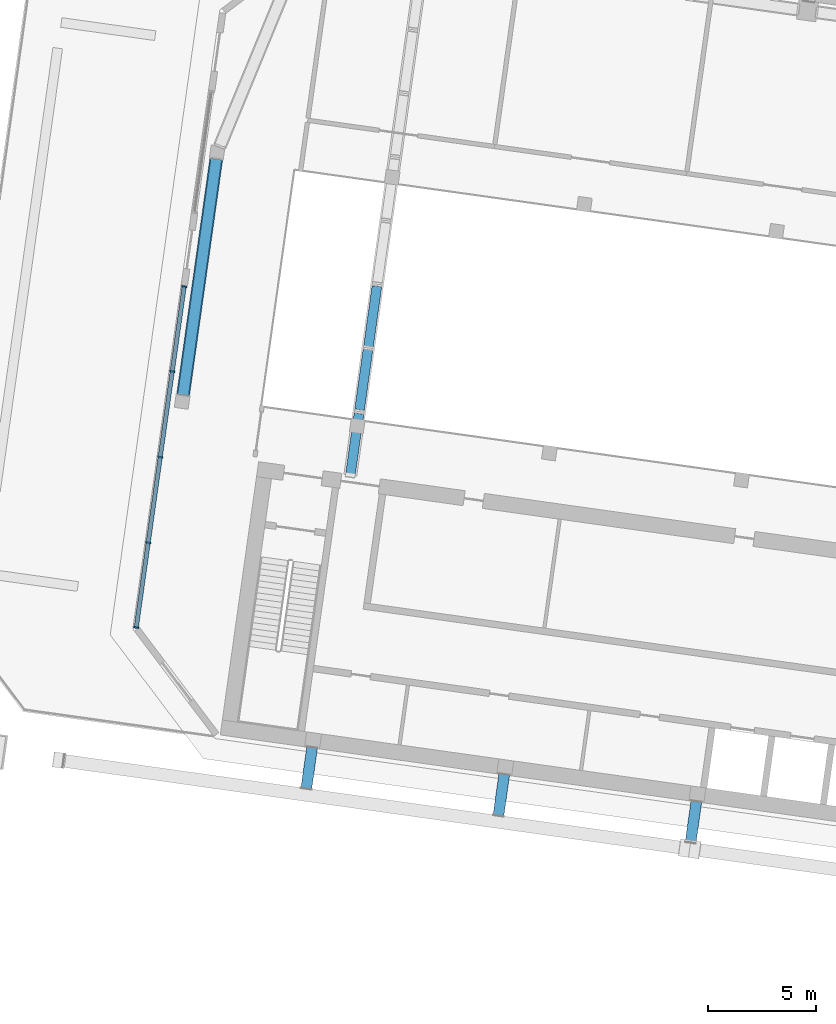
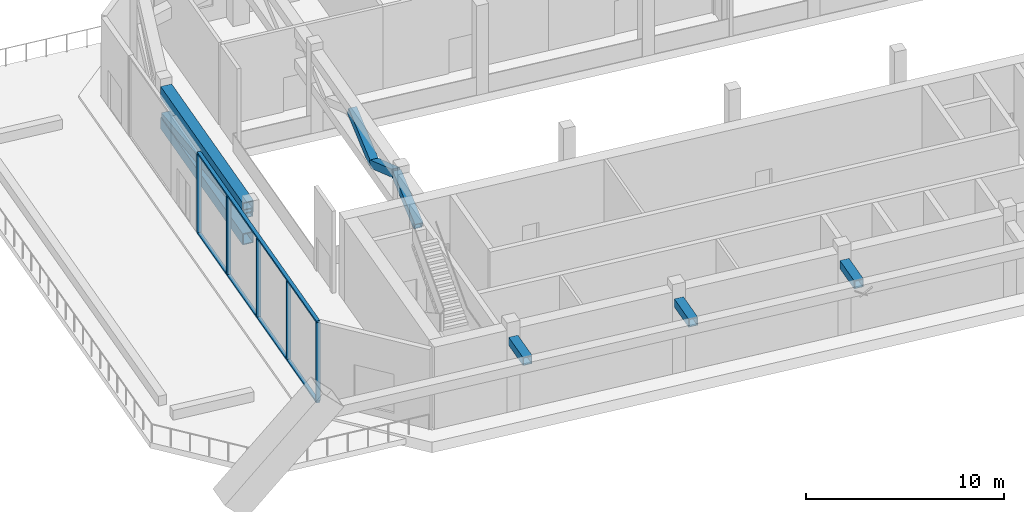
# One storey, part 3 of 41: 16 members, 1 element without a shape of its own.
"""IFC4 building model written with IfcOpenShell, lengths in metres."""

import ifcopenshell
import ifcopenshell.guid

model = None  # the IFC model being written
_history = None  # IfcOwnerHistory: only IFC2X3 demands one
_inside = {}  # id of a spatial element -> (the spatial element, [elements in it])
_under = {}  # id of a project, library or spatial element -> (it, [spatial elements below it])
_declared = {}  # id of a project -> (the project, [libraries it declares])
_typed = {}  # id of a type object -> (the type object, [elements of that type])
_made_of = {}  # id of a material, layer set ... -> (it, [elements and type objects made of it])


def new_model(schema):
    """Start an empty IFC model of exactly this schema.

    Asked for "IFC4X3", IfcOpenShell would pick the latest addendum, in which some entities
    have other attributes; the version numbers below select the first issue.
    IFC2X3 requires an IfcOwnerHistory on every rooted entity: one is made here for all.
    """
    global model, _history
    if schema == "IFC4X3":
        model = ifcopenshell.file(schema_version=(4, 3, 0, 0))
    else:
        model = ifcopenshell.file(schema=schema)
    _inside.clear()
    _under.clear()
    _declared.clear()
    _typed.clear()
    _made_of.clear()
    _history = None
    if model.schema == "IFC2X3":
        org = make("IfcOrganization", Name="unknown")
        user = make(
            "IfcPersonAndOrganization",
            ThePerson=make("IfcPerson", FamilyName="unknown"),
            TheOrganization=org,
        )
        app = make(
            "IfcApplication",
            ApplicationDeveloper=org,
            Version="unknown",
            ApplicationFullName="unknown",
            ApplicationIdentifier="unknown",
        )
        _history = make(
            "IfcOwnerHistory",
            OwningUser=user,
            OwningApplication=app,
            ChangeAction="ADDED",
            CreationDate=0,
        )
    return model


def make(cls, **values):
    """One entity of the class cls with the attributes given. An attribute that is None is left unset."""
    return model.create_entity(
        cls, **{name: value for name, value in values.items() if value is not None}
    )


def rooted(cls, **values):
    """An entity with a GlobalId (a new one), such as an element, a storey or a relation."""
    return make(cls, GlobalId=ifcopenshell.guid.new(), OwnerHistory=_history, **values)


def si_unit(unit_type, name, prefix=None):
    """IfcSIUnit, for example si_unit("LENGTHUNIT", "METRE", prefix="MILLI")."""
    return make("IfcSIUnit", UnitType=unit_type, Prefix=prefix, Name=name)


def assignment(units):
    """IfcUnitAssignment: the units of a project."""
    return None if units is None else make("IfcUnitAssignment", Units=units)


def point(xyz):
    """IfcCartesianPoint."""
    return None if xyz is None else make("IfcCartesianPoint", Coordinates=xyz)


def direction(xyz):
    """IfcDirection."""
    return None if xyz is None else make("IfcDirection", DirectionRatios=xyz)


def frame(location, z_axis=None, x_axis=None):
    """IfcAxis2Placement3D, a coordinate frame: its origin and axes. An axis left out is left unset."""
    return make(
        "IfcAxis2Placement3D",
        Location=point(location),
        Axis=direction(z_axis),
        RefDirection=direction(x_axis),
    )


def frame_2d(location, x_axis=None):
    """IfcAxis2Placement2D, a coordinate frame in the plane: its origin and x axis."""
    return make(
        "IfcAxis2Placement2D", Location=point(location), RefDirection=direction(x_axis)
    )


def origin():
    """The frame at (0, 0, 0) with its axes left unset."""
    return frame((0.0, 0.0, 0.0))


def origin_2d():
    """The frame at (0, 0) in the plane with its x axis left unset."""
    return frame_2d((0.0, 0.0))


def place(relative_to, where):
    """IfcLocalPlacement: puts the frame where relative to a parent placement (None: the world)."""
    return make(
        "IfcLocalPlacement", PlacementRelTo=relative_to, RelativePlacement=where
    )


def context(
    kind, dimensions, precision=None, world=None, true_north=None, identifier=None
):
    """IfcGeometricRepresentationContext, for example the 3D "Model" context."""
    return make(
        "IfcGeometricRepresentationContext",
        ContextIdentifier=identifier,
        ContextType=kind,
        CoordinateSpaceDimension=dimensions,
        Precision=precision,
        WorldCoordinateSystem=world,
        TrueNorth=true_north,
    )


def subcontext(parent, identifier, kind, view, scale=None):
    """IfcGeometricRepresentationSubContext, for example "Body" below "Model"."""
    return make(
        "IfcGeometricRepresentationSubContext",
        ContextIdentifier=identifier,
        ContextType=kind,
        ParentContext=parent,
        TargetScale=scale,
        TargetView=view,
    )


def project(units=None, contexts=None):
    """IfcProject with its units and contexts."""
    return rooted(
        "IfcProject",
        Name="project",
        RepresentationContexts=contexts,
        UnitsInContext=assignment(units),
    )


def spatial(cls, under=None, at=None, **own):
    """A site, building, storey or space (cls), placed at a placement, below another one or the project."""
    s = rooted(cls, ObjectPlacement=at, **own)
    if under is not None:
        _under.setdefault(under.id(), (under, []))[1].append(s)
    return s


def profile(cls, at=None, kind="AREA", **sizes):
    """A parametric profile (cls). Its sizes go by their IFC names, for example OverallWidth=200.0."""
    return make(cls, ProfileType=kind, Position=at, **sizes)


def rectangle(**sizes):
    """IfcRectangleProfileDef."""
    return profile("IfcRectangleProfileDef", **sizes)


def hollow_rectangle(**sizes):
    """IfcRectangleHollowProfileDef."""
    return profile("IfcRectangleHollowProfileDef", **sizes)


def extrude(swept, where, along, depth):
    """IfcExtrudedAreaSolid: the profile swept, set in the frame where, extruded along a direction by depth."""
    return make(
        "IfcExtrudedAreaSolid",
        SweptArea=swept,
        Position=where,
        ExtrudedDirection=direction(along),
        Depth=depth,
    )


def shape(context_of_items, identifier, shape_type, items):
    """IfcShapeRepresentation: the items that make up one representation, for example the "Body"."""
    return make(
        "IfcShapeRepresentation",
        ContextOfItems=context_of_items,
        RepresentationIdentifier=identifier,
        RepresentationType=shape_type,
        Items=items,
    )


def material(Name=None, Category=None):
    """IfcMaterial."""
    return make("IfcMaterial", Name=Name, Category=Category)


def material_profile(
    of_material, cross_section, Name=None, Category=None, Priority=None
):
    """IfcMaterialProfile: a cross section and its material."""
    return make(
        "IfcMaterialProfile",
        Name=Name,
        Material=of_material,
        Profile=cross_section,
        Priority=Priority,
        Category=Category,
    )


def profile_set(profiles, Name=None, composite=None):
    """IfcMaterialProfileSet."""
    return make(
        "IfcMaterialProfileSet",
        Name=Name,
        MaterialProfiles=profiles,
        CompositeProfile=composite,
    )


def made_of(thing, what):
    """Note that an element or type object is made of a material, layer set ...; save() writes the relation."""
    if what is not None:
        _made_of.setdefault(what.id(), (what, []))[1].append(thing)
    return thing


def type_object(cls, material=None, **own):
    """A type object (cls), such as IfcWallType, which elements share."""
    return made_of(rooted(cls, **own), material)


def element(
    cls,
    number,
    at=None,
    inside=None,
    cuts=None,
    type_object=None,
    material=None,
    context=None,
    identifier="Body",
    shape_type=None,
    held_by="IfcProductDefinitionShape",
    body=None,
    shapes=None,
    **own,
):
    """One element of the class cls, such as IfcWall. Its Tag is "e" and its number.

    at: its placement. inside: the storey or other place that contains it. cuts: it is an
    opening in that element (IfcRelVoidsElement). A single representation is given by context,
    identifier, shape_type and body (its items); several are given by shapes. held_by: the class
    of the entity that holds the representations. save() writes the other relations.
    """
    e = rooted(cls, Tag="e%d" % number, ObjectPlacement=at, **own)
    if body is not None:
        shapes = [shape(context, identifier, shape_type, body)]
    if shapes is not None:
        e.Representation = make(held_by, Representations=shapes)
    if inside is not None:
        _inside.setdefault(inside.id(), (inside, []))[1].append(e)
    if cuts is not None:
        rooted(
            "IfcRelVoidsElement", RelatingBuildingElement=cuts, RelatedOpeningElement=e
        )
    if type_object is not None:
        _typed.setdefault(type_object.id(), (type_object, []))[1].append(e)
    return made_of(e, material)


def aggregate(whole, parts):
    """IfcRelAggregates: a whole, such as a stair, and the parts it consists of."""
    return rooted("IfcRelAggregates", RelatingObject=whole, RelatedObjects=parts)


def save(model, path):
    """Write the relations noted so far, then the file.

    IfcRelAggregates (storeys below a building ...), IfcRelContainedInSpatialStructure (elements
    in a storey), IfcRelDefinesByType, IfcRelAssociatesMaterial and IfcRelDeclares: one each for
    every whole, place, type object, material and project.
    """
    for whole, parts in _under.values():
        aggregate(whole, parts)
    for where, things in _inside.values():
        rooted(
            "IfcRelContainedInSpatialStructure",
            RelatedElements=things,
            RelatingStructure=where,
        )
    for kind, things in _typed.values():
        rooted("IfcRelDefinesByType", RelatedObjects=things, RelatingType=kind)
    for what, things in _made_of.values():
        rooted("IfcRelAssociatesMaterial", RelatedObjects=things, RelatingMaterial=what)
    for by, libraries in _declared.values():
        rooted("IfcRelDeclares", RelatingContext=by, RelatedDefinitions=libraries)
    model.write(path)


model = new_model("IFC4")

# Units and contexts
model_context = context("Model", 3, precision=1e-05, world=origin(), true_north=direction((0.0, 1.0)))
body_context = subcontext(model_context, "Body", "Model", "MODEL_VIEW")
ifc_project = project(units=[si_unit("LENGTHUNIT", "METRE"), si_unit("AREAUNIT", "SQUARE_METRE"), si_unit("VOLUMEUNIT", "CUBIC_METRE"), si_unit("PLANEANGLEUNIT", "RADIAN"), si_unit("MASSUNIT", "GRAM", prefix="KILO")], contexts=[model_context])

# Site, building, storey
site_placement = place(None, origin())
site = spatial("IfcSite", under=ifc_project, at=site_placement, CompositionType="ELEMENT")
building_placement = place(site_placement, origin())
building = spatial("IfcBuilding", under=site, at=building_placement, Name="Mirante Cascada Hotel Towers", CompositionType="ELEMENT")
storey_placement = place(building_placement, frame((0.0, 0.0, 151.9)))
storey = spatial("IfcBuildingStorey", under=building, at=storey_placement, Name="L35", CompositionType="ELEMENT", Elevation=151.9)

# Members
ifc_material_1 = material(Name="Steel ASTM A572 Gr 50", Category="steel")
ifc_material_profile_1 = material_profile(ifc_material_1, hollow_rectangle(XDim=0.6, YDim=0.7, WallThickness=0.05, at=origin_2d()), Name="Box chord 700x600x50 ASTM A572 Gr 50")
ifc_profile_set_1 = profile_set([ifc_material_profile_1], Name="Steel ASTM A572 Gr 50")
member_type_1 = type_object("IfcMemberType", Name="Box chord 700x600x50 ASTM A572 Gr 50", PredefinedType="CHORD", material=ifc_profile_set_1)
for number, where, z_axis, x_axis, name in (
    (1, (-90.5342, 14.2024, 4.7), (-0.1391663, -0.990269, 0.0), (0.990269, -0.1391663, 0.0), "belt T1 L35 25"),
    (2, (-90.5342, 14.2024, 2.8), (-0.1391663, -0.990269, 0.0), (0.990269, -0.1391663, 0.0), "belt T1 L35 26"),
):
    element("IfcMember", number, at=place(storey_placement, frame(where, z_axis=z_axis, x_axis=x_axis)), inside=storey, type_object=member_type_1, Name=name, PredefinedType="CHORD", context=body_context, shape_type="SweptSolid", body=[
        extrude(hollow_rectangle(XDim=0.6, YDim=0.7, WallThickness=0.05, at=origin_2d()), origin(), (0.0, 0.0, 1.0), 11.04),
    ])
ifc_material_2 = material(Name="Steel ASTM A572 Gr 50", Category="steel")
ifc_material_profile_2 = material_profile(ifc_material_2, hollow_rectangle(XDim=0.45, YDim=0.45, WallThickness=0.03, at=origin_2d()), Name="Box diagonal 450x450x30 ASTM A572 Gr 50")
ifc_profile_set_2 = profile_set([ifc_material_profile_2], Name="Steel ASTM A572 Gr 50")
member_type_2 = type_object("IfcMemberType", Name="Box diagonal 450x450x30 ASTM A572 Gr 50", PredefinedType="BRACE", material=ifc_profile_set_2)
member_1_placement = place(storey_placement, frame((-84.3137, -0.456, 3.1), z_axis=(0.1267752, 0.9020928, 0.4125005), x_axis=(-0.9902689, 0.1391669, 0.0)))
element("IfcMember", 3, at=member_1_placement, inside=storey, type_object=member_type_2, Name="outrigger T1 L35 13", PredefinedType="BRACE", context=body_context, shape_type="SweptSolid", body=[
    extrude(hollow_rectangle(XDim=0.45, YDim=0.45, WallThickness=0.03, at=origin_2d()), origin(), (0.0, 0.0, 1.0), 3.2727),
])
for number, where, z_axis, x_axis, name in (
    (4, (-83.8988, 2.4963, 4.45), (0.1267787, 0.9020871, -0.4125119), (-0.9902683, 0.1391716, 0.0), "outrigger T1 L35 14"),
    (5, (-83.4839, 5.4485, 3.1), (0.1267787, 0.9020871, 0.4125119), (-0.9902683, 0.1391716, 0.0), "outrigger T1 L35 15"),
):
    element("IfcMember", number, at=place(storey_placement, frame(where, z_axis=z_axis, x_axis=x_axis)), inside=storey, type_object=member_type_2, Name=name, PredefinedType="BRACE", context=body_context, shape_type="SweptSolid", body=[
        extrude(hollow_rectangle(XDim=0.45, YDim=0.45, WallThickness=0.03, at=origin_2d()), origin(), (0.0, 0.0, 1.0), 3.2726),
    ])
ifc_material_3 = material(Name="Steel ASTM A572 Gr 50", Category="steel")
ifc_material_profile_3 = material_profile(ifc_material_3, hollow_rectangle(XDim=0.5, YDim=0.5, WallThickness=0.035, at=origin_2d()), Name="Box diagonal 500x500x35 ASTM A572 Gr 50")
ifc_profile_set_3 = profile_set([ifc_material_profile_3], Name="Steel ASTM A572 Gr 50")
member_type_3 = type_object("IfcMemberType", Name="Box diagonal 500x500x35 ASTM A572 Gr 50", PredefinedType="BRACE", material=ifc_profile_set_3)
member_2_placement = place(storey_placement, frame((-90.5342, 14.2024, 3.15), z_axis=(-0.1383514, -0.9844705, 0.1080589), x_axis=(0.990269, -0.1391663, 0.0)))
element("IfcMember", 6, at=member_2_placement, inside=storey, type_object=member_type_3, Name="belt T1 L35 27", PredefinedType="BRACE", context=body_context, shape_type="SweptSolid", body=[
    extrude(hollow_rectangle(XDim=0.5, YDim=0.5, WallThickness=0.035, at=origin_2d()), origin(), (0.0, 0.0, 1.0), 11.1051),
])
ifc_material_4 = material(Name="Steel ASTM A572 Gr 50", Category="steel")
ifc_material_profile_4 = material_profile(ifc_material_4, hollow_rectangle(XDim=0.5, YDim=0.5, WallThickness=0.035, at=origin_2d()), Name="Box tie 500x500x35 ASTM A572 Gr 50")
ifc_profile_set_4 = profile_set([ifc_material_profile_4], Name="Steel ASTM A572 Gr 50")
member_type_4 = type_object("IfcMemberType", Name="Box tie 500x500x35 ASTM A572 Gr 50", PredefinedType="STRUT", material=ifc_profile_set_4)
member_3_placement = place(storey_placement, frame((-68.2633, -15.587, 4.35), z_axis=(-0.1391766, -0.9902676, 0.0), x_axis=(0.9902676, -0.1391766, 0.0)))
element("IfcMember", 7, at=member_3_placement, inside=storey, type_object=member_type_4, Name="tie T1 L35 8", PredefinedType="STRUT", context=body_context, shape_type="SweptSolid", body=[
    extrude(hollow_rectangle(XDim=0.5, YDim=0.5, WallThickness=0.035, at=origin_2d()), origin(), (0.0, 0.0, 1.0), 1.94),
])
member_4_placement = place(storey_placement, frame((-77.1757, -14.3344, 4.35), z_axis=(-0.1391695, -0.9902686, 0.0), x_axis=(0.9902686, -0.1391695, 0.0)))
element("IfcMember", 8, at=member_4_placement, inside=storey, type_object=member_type_4, Name="tie T1 L35 10", PredefinedType="STRUT", context=body_context, shape_type="SweptSolid", body=[
    extrude(hollow_rectangle(XDim=0.5, YDim=0.5, WallThickness=0.035, at=origin_2d()), origin(), (0.0, 0.0, 1.0), 1.9401),
])
member_5_placement = place(storey_placement, frame((-86.0881, -13.0819, 4.35), z_axis=(-0.1391766, -0.9902676, 0.0), x_axis=(0.9902676, -0.1391766, 0.0)))
element("IfcMember", 9, at=member_5_placement, inside=storey, type_object=member_type_4, Name="tie T1 L35 12", PredefinedType="STRUT", context=body_context, shape_type="SweptSolid", body=[
    extrude(hollow_rectangle(XDim=0.5, YDim=0.5, WallThickness=0.035, at=origin_2d()), origin(), (0.0, 0.0, 1.0), 1.94),
])

# Curtain wall, members
ifc_material_5 = material(Name="Aluminium mullion and transom frame with clear laminated glass", Category="aluminium")
curtain_wall_type = type_object("IfcCurtainWallType", Name="Sky garden curtain wall ECW4", PredefinedType="NOTDEFINED", material=ifc_material_5)
curtain_wall_placement = place(storey_placement, origin())
curtain_wall = element("IfcCurtainWall", 10, at=curtain_wall_placement, inside=storey, type_object=curtain_wall_type, Name="Sky garden wall T1 L35 run 1", PredefinedType="NOTDEFINED")
ifc_material_6 = material(Name="Anodised aluminium extrusion", Category="aluminium")
ifc_material_profile_5 = material_profile(ifc_material_6, rectangle(XDim=0.24, YDim=0.075, at=origin_2d()), Name="ECW4 MULLION 75x240")
ifc_profile_set_5 = profile_set([ifc_material_profile_5], Name="Anodised aluminium extrusion")
member_type_5 = type_object("IfcMemberType", Name="ECW4 mullion 75x240", PredefinedType="MULLION", material=ifc_profile_set_5)
member_6_placement = place(storey_placement, frame((-94.2425, -7.5132, 0.11), z_axis=(0.0, 0.0, 1.0), x_axis=(-0.9902681, 0.1391731, 0.0)))
member_6 = element("IfcMember", 11, at=member_6_placement, type_object=member_type_5, Name="ECW4 mullion 1", PredefinedType="MULLION", context=body_context, shape_type="SweptSolid", body=[
    extrude(rectangle(XDim=0.24, YDim=0.075, at=origin_2d()), origin(), (0.0, 0.0, 1.0), 4.83),
])
member_7_placement = place(storey_placement, frame((-93.6897, -3.5799, 0.11), z_axis=(0.0, 0.0, 1.0), x_axis=(-0.9902681, 0.1391731, 0.0)))
member_7 = element("IfcMember", 12, at=member_7_placement, type_object=member_type_5, Name="ECW4 mullion 2", PredefinedType="MULLION", context=body_context, shape_type="SweptSolid", body=[
    extrude(rectangle(XDim=0.24, YDim=0.075, at=origin_2d()), origin(), (0.0, 0.0, 1.0), 4.83),
])
member_8_placement = place(storey_placement, frame((-93.1317, 0.3906, 0.11), z_axis=(0.0, 0.0, 1.0), x_axis=(-0.9902681, 0.1391731, 0.0)))
member_8 = element("IfcMember", 13, at=member_8_placement, type_object=member_type_5, Name="ECW4 mullion 3", PredefinedType="MULLION", context=body_context, shape_type="SweptSolid", body=[
    extrude(rectangle(XDim=0.24, YDim=0.075, at=origin_2d()), origin(), (0.0, 0.0, 1.0), 4.83),
])
member_9_placement = place(storey_placement, frame((-92.5737, 4.361, 0.11), z_axis=(0.0, 0.0, 1.0), x_axis=(-0.9902681, 0.1391731, 0.0)))
member_9 = element("IfcMember", 14, at=member_9_placement, type_object=member_type_5, Name="ECW4 mullion 4", PredefinedType="MULLION", context=body_context, shape_type="SweptSolid", body=[
    extrude(rectangle(XDim=0.24, YDim=0.075, at=origin_2d()), origin(), (0.0, 0.0, 1.0), 4.83),
])
member_10_placement = place(storey_placement, frame((-92.0209, 8.2943, 0.11), z_axis=(0.0, 0.0, 1.0), x_axis=(-0.9902681, 0.1391731, 0.0)))
member_10 = element("IfcMember", 15, at=member_10_placement, type_object=member_type_5, Name="ECW4 mullion 5", PredefinedType="MULLION", context=body_context, shape_type="SweptSolid", body=[
    extrude(rectangle(XDim=0.24, YDim=0.075, at=origin_2d()), origin(), (0.0, 0.0, 1.0), 4.83),
])
ifc_material_7 = material(Name="Anodised aluminium extrusion", Category="aluminium")
ifc_material_profile_6 = material_profile(ifc_material_7, rectangle(XDim=0.2, YDim=0.11, at=origin_2d()), Name="ECW4 TRANSOM 110x200")
ifc_profile_set_6 = profile_set([ifc_material_profile_6], Name="Anodised aluminium extrusion")
member_type_6 = type_object("IfcMemberType", Name="ECW4 transom 110x200", PredefinedType="USERDEFINED", material=ifc_profile_set_6)
member_11_placement = place(storey_placement, frame((-94.2477, -7.5503, 0.055), z_axis=(0.1391706, 0.9902684, 0.0), x_axis=(-0.9902684, 0.1391706, 0.0)))
member_11 = element("IfcMember", 16, at=member_11_placement, type_object=member_type_6, Name="ECW4 sill transom", ObjectType="TRANSOM", PredefinedType="USERDEFINED", context=body_context, shape_type="SweptSolid", body=[
    extrude(rectangle(XDim=0.2, YDim=0.11, at=origin_2d()), origin(), (0.0, 0.0, 1.0), 16.0379),
])
member_12_placement = place(storey_placement, frame((-94.2477, -7.5503, 4.995), z_axis=(0.1391706, 0.9902684, 0.0), x_axis=(-0.9902684, 0.1391706, 0.0)))
member_12 = element("IfcMember", 17, at=member_12_placement, type_object=member_type_6, Name="ECW4 head transom", ObjectType="TRANSOM", PredefinedType="USERDEFINED", context=body_context, shape_type="SweptSolid", body=[
    extrude(rectangle(XDim=0.2, YDim=0.11, at=origin_2d()), origin(), (0.0, 0.0, 1.0), 16.0379),
])
aggregate(curtain_wall, [member_11, member_12, member_6, member_7, member_8, member_9, member_10])

save(model, "model.ifc")
